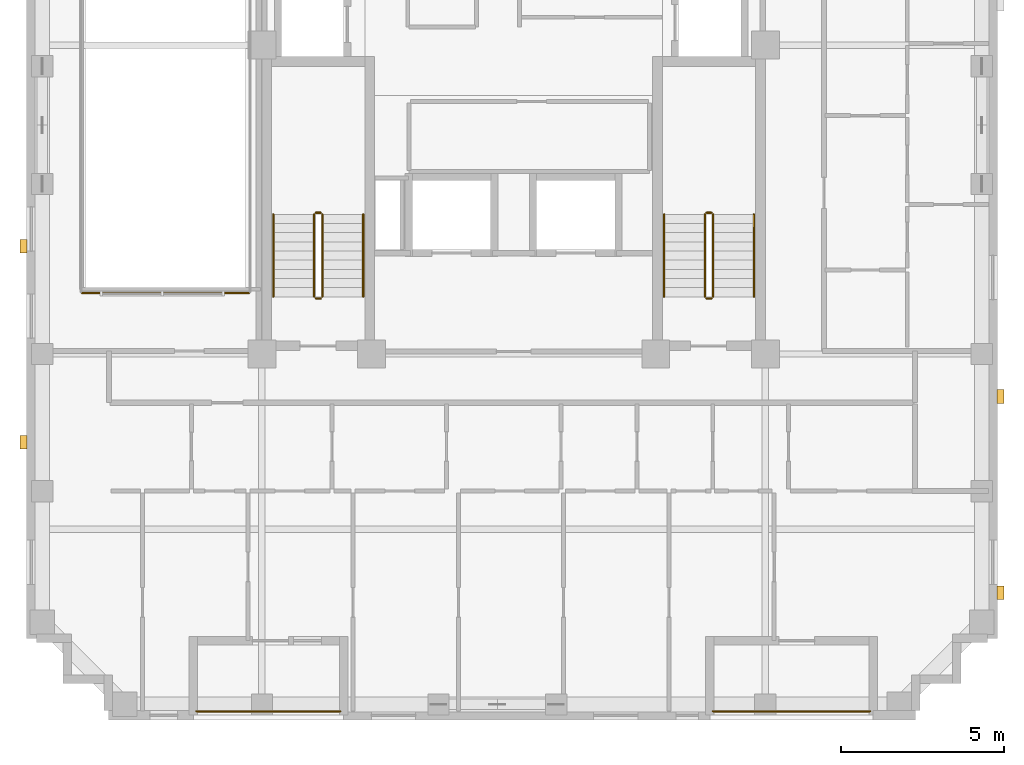
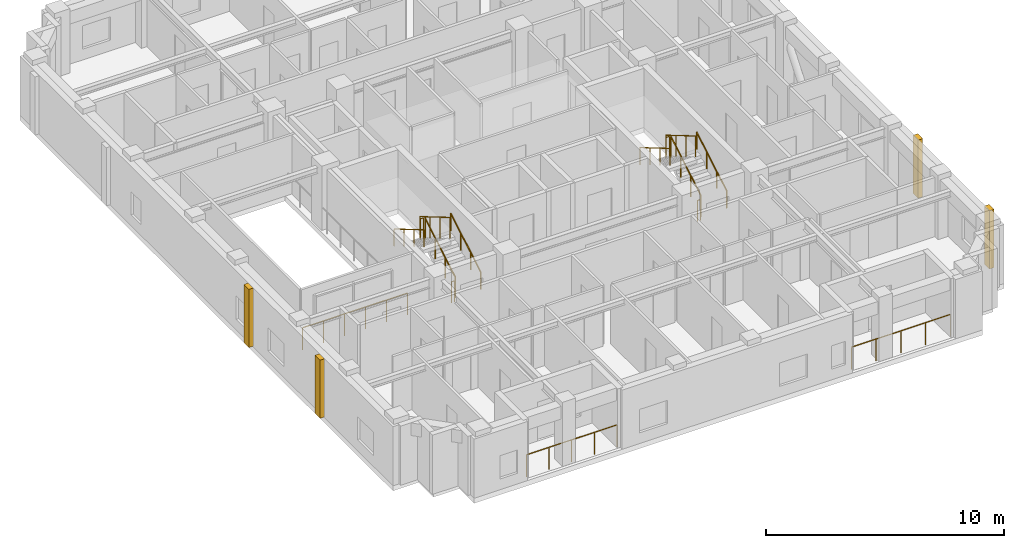
# One storey, part 11 of 12: 15 railings, 4 coverings.
"""IFC4 building model written with IfcOpenShell, lengths in metres."""

import ifcopenshell
import ifcopenshell.guid

model = None  # the IFC model being written
_history = None  # IfcOwnerHistory: only IFC2X3 demands one
_inside = {}  # id of a spatial element -> (the spatial element, [elements in it])
_under = {}  # id of a project, library or spatial element -> (it, [spatial elements below it])
_declared = {}  # id of a project -> (the project, [libraries it declares])
_typed = {}  # id of a type object -> (the type object, [elements of that type])
_made_of = {}  # id of a material, layer set ... -> (it, [elements and type objects made of it])


def new_model(schema):
    """Start an empty IFC model of exactly this schema.

    Asked for "IFC4X3", IfcOpenShell would pick the latest addendum, in which some entities
    have other attributes; the version numbers below select the first issue.
    IFC2X3 requires an IfcOwnerHistory on every rooted entity: one is made here for all.
    """
    global model, _history
    if schema == "IFC4X3":
        model = ifcopenshell.file(schema_version=(4, 3, 0, 0))
    else:
        model = ifcopenshell.file(schema=schema)
    _inside.clear()
    _under.clear()
    _declared.clear()
    _typed.clear()
    _made_of.clear()
    _history = None
    if model.schema == "IFC2X3":
        org = make("IfcOrganization", Name="unknown")
        user = make(
            "IfcPersonAndOrganization",
            ThePerson=make("IfcPerson", FamilyName="unknown"),
            TheOrganization=org,
        )
        app = make(
            "IfcApplication",
            ApplicationDeveloper=org,
            Version="unknown",
            ApplicationFullName="unknown",
            ApplicationIdentifier="unknown",
        )
        _history = make(
            "IfcOwnerHistory",
            OwningUser=user,
            OwningApplication=app,
            ChangeAction="ADDED",
            CreationDate=0,
        )
    return model


def make(cls, **values):
    """One entity of the class cls with the attributes given. An attribute that is None is left unset."""
    return model.create_entity(
        cls, **{name: value for name, value in values.items() if value is not None}
    )


def rooted(cls, **values):
    """An entity with a GlobalId (a new one), such as an element, a storey or a relation."""
    return make(cls, GlobalId=ifcopenshell.guid.new(), OwnerHistory=_history, **values)


def si_unit(unit_type, name, prefix=None):
    """IfcSIUnit, for example si_unit("LENGTHUNIT", "METRE", prefix="MILLI")."""
    return make("IfcSIUnit", UnitType=unit_type, Prefix=prefix, Name=name)


def derived_unit(unit_type, elements):
    """IfcDerivedUnit: a product of units, each with its exponent."""
    return make(
        "IfcDerivedUnit",
        Elements=[
            make("IfcDerivedUnitElement", Unit=unit, Exponent=power)
            for unit, power in elements
        ],
        UnitType=unit_type,
    )


def assignment(units):
    """IfcUnitAssignment: the units of a project."""
    return None if units is None else make("IfcUnitAssignment", Units=units)


def point(xyz):
    """IfcCartesianPoint."""
    return None if xyz is None else make("IfcCartesianPoint", Coordinates=xyz)


def direction(xyz):
    """IfcDirection."""
    return None if xyz is None else make("IfcDirection", DirectionRatios=xyz)


def frame(location, z_axis=None, x_axis=None):
    """IfcAxis2Placement3D, a coordinate frame: its origin and axes. An axis left out is left unset."""
    return make(
        "IfcAxis2Placement3D",
        Location=point(location),
        Axis=direction(z_axis),
        RefDirection=direction(x_axis),
    )


def frame_2d(location, x_axis=None):
    """IfcAxis2Placement2D, a coordinate frame in the plane: its origin and x axis."""
    return make(
        "IfcAxis2Placement2D", Location=point(location), RefDirection=direction(x_axis)
    )


def origin():
    """The frame at (0, 0, 0) with its axes left unset."""
    return frame((0.0, 0.0, 0.0))


def origin_2d():
    """The frame at (0, 0) in the plane with its x axis left unset."""
    return frame_2d((0.0, 0.0))


def place(relative_to, where):
    """IfcLocalPlacement: puts the frame where relative to a parent placement (None: the world)."""
    return make(
        "IfcLocalPlacement", PlacementRelTo=relative_to, RelativePlacement=where
    )


def context(
    kind, dimensions, precision=None, world=None, true_north=None, identifier=None
):
    """IfcGeometricRepresentationContext, for example the 3D "Model" context."""
    return make(
        "IfcGeometricRepresentationContext",
        ContextIdentifier=identifier,
        ContextType=kind,
        CoordinateSpaceDimension=dimensions,
        Precision=precision,
        WorldCoordinateSystem=world,
        TrueNorth=true_north,
    )


def subcontext(parent, identifier, kind, view, scale=None):
    """IfcGeometricRepresentationSubContext, for example "Body" below "Model"."""
    return make(
        "IfcGeometricRepresentationSubContext",
        ContextIdentifier=identifier,
        ContextType=kind,
        ParentContext=parent,
        TargetScale=scale,
        TargetView=view,
    )


def project(units=None, contexts=None):
    """IfcProject with its units and contexts."""
    return rooted(
        "IfcProject",
        Name="project",
        RepresentationContexts=contexts,
        UnitsInContext=assignment(units),
    )


def spatial(cls, under=None, at=None, **own):
    """A site, building, storey or space (cls), placed at a placement, below another one or the project."""
    s = rooted(cls, ObjectPlacement=at, **own)
    if under is not None:
        _under.setdefault(under.id(), (under, []))[1].append(s)
    return s


def profile(cls, at=None, kind="AREA", **sizes):
    """A parametric profile (cls). Its sizes go by their IFC names, for example OverallWidth=200.0."""
    return make(cls, ProfileType=kind, Position=at, **sizes)


def rectangle(**sizes):
    """IfcRectangleProfileDef."""
    return profile("IfcRectangleProfileDef", **sizes)


def circle(**sizes):
    """IfcCircleProfileDef."""
    return profile("IfcCircleProfileDef", **sizes)


def extrude(swept, where, along, depth):
    """IfcExtrudedAreaSolid: the profile swept, set in the frame where, extruded along a direction by depth."""
    return make(
        "IfcExtrudedAreaSolid",
        SweptArea=swept,
        Position=where,
        ExtrudedDirection=direction(along),
        Depth=depth,
    )


def shape(context_of_items, identifier, shape_type, items):
    """IfcShapeRepresentation: the items that make up one representation, for example the "Body"."""
    return make(
        "IfcShapeRepresentation",
        ContextOfItems=context_of_items,
        RepresentationIdentifier=identifier,
        RepresentationType=shape_type,
        Items=items,
    )


def material(Name=None, Category=None):
    """IfcMaterial."""
    return make("IfcMaterial", Name=Name, Category=Category)


def layer(
    of_material, thickness, ventilated=None, Name=None, Category=None, Priority=None
):
    """IfcMaterialLayer: one layer of a wall or slab, of a material (None: an air gap)."""
    return make(
        "IfcMaterialLayer",
        Material=of_material,
        LayerThickness=thickness,
        IsVentilated=ventilated,
        Name=Name,
        Category=Category,
        Priority=Priority,
    )


def layer_set(layers, Name=None):
    """IfcMaterialLayerSet."""
    return make("IfcMaterialLayerSet", MaterialLayers=layers, LayerSetName=Name)


def made_of(thing, what):
    """Note that an element or type object is made of a material, layer set ...; save() writes the relation."""
    if what is not None:
        _made_of.setdefault(what.id(), (what, []))[1].append(thing)
    return thing


def type_object(cls, material=None, **own):
    """A type object (cls), such as IfcWallType, which elements share."""
    return made_of(rooted(cls, **own), material)


def element(
    cls,
    number,
    at=None,
    inside=None,
    cuts=None,
    type_object=None,
    material=None,
    context=None,
    identifier="Body",
    shape_type=None,
    held_by="IfcProductDefinitionShape",
    body=None,
    shapes=None,
    **own,
):
    """One element of the class cls, such as IfcWall. Its Tag is "e" and its number.

    at: its placement. inside: the storey or other place that contains it. cuts: it is an
    opening in that element (IfcRelVoidsElement). A single representation is given by context,
    identifier, shape_type and body (its items); several are given by shapes. held_by: the class
    of the entity that holds the representations. save() writes the other relations.
    """
    e = rooted(cls, Tag="e%d" % number, ObjectPlacement=at, **own)
    if body is not None:
        shapes = [shape(context, identifier, shape_type, body)]
    if shapes is not None:
        e.Representation = make(held_by, Representations=shapes)
    if inside is not None:
        _inside.setdefault(inside.id(), (inside, []))[1].append(e)
    if cuts is not None:
        rooted(
            "IfcRelVoidsElement", RelatingBuildingElement=cuts, RelatedOpeningElement=e
        )
    if type_object is not None:
        _typed.setdefault(type_object.id(), (type_object, []))[1].append(e)
    return made_of(e, material)


def aggregate(whole, parts):
    """IfcRelAggregates: a whole, such as a stair, and the parts it consists of."""
    return rooted("IfcRelAggregates", RelatingObject=whole, RelatedObjects=parts)


def save(model, path):
    """Write the relations noted so far, then the file.

    IfcRelAggregates (storeys below a building ...), IfcRelContainedInSpatialStructure (elements
    in a storey), IfcRelDefinesByType, IfcRelAssociatesMaterial and IfcRelDeclares: one each for
    every whole, place, type object, material and project.
    """
    for whole, parts in _under.values():
        aggregate(whole, parts)
    for where, things in _inside.values():
        rooted(
            "IfcRelContainedInSpatialStructure",
            RelatedElements=things,
            RelatingStructure=where,
        )
    for kind, things in _typed.values():
        rooted("IfcRelDefinesByType", RelatedObjects=things, RelatingType=kind)
    for what, things in _made_of.values():
        rooted("IfcRelAssociatesMaterial", RelatedObjects=things, RelatingMaterial=what)
    for by, libraries in _declared.values():
        rooted("IfcRelDeclares", RelatingContext=by, RelatedDefinitions=libraries)
    model.write(path)


model = new_model("IFC4")

# Units and contexts
model_context = context("Model", 3, precision=1e-05, world=origin(), true_north=direction((0.0, 1.0)))
body_context = subcontext(model_context, "Body", "Model", "MODEL_VIEW")
ifc_project = project(units=[si_unit("LENGTHUNIT", "METRE"), si_unit("AREAUNIT", "SQUARE_METRE"), si_unit("VOLUMEUNIT", "CUBIC_METRE"), si_unit("PLANEANGLEUNIT", "RADIAN"), si_unit("MASSUNIT", "GRAM", prefix="KILO"), derived_unit("THERMALTRANSMITTANCEUNIT", [(si_unit("MASSUNIT", "GRAM", prefix="KILO"), 1), (si_unit("TIMEUNIT", "SECOND"), -3), (si_unit("THERMODYNAMICTEMPERATUREUNIT", "KELVIN"), -1)])], contexts=[model_context])

# Site, building, storey
site_placement = place(None, origin())
site = spatial("IfcSite", under=ifc_project, at=site_placement, CompositionType="ELEMENT")
building_placement = place(site_placement, origin())
building = spatial("IfcBuilding", under=site, at=building_placement, Name="Korrvale Station Residences", CompositionType="ELEMENT")
storey_placement = place(building_placement, frame((0.0, 0.0, 184.300048828125)))
storey = spatial("IfcBuildingStorey", under=building, at=storey_placement, Name="L53", CompositionType="ELEMENT", Elevation=184.300048828125)

# Coverings
ifc_material_1 = material(Name="Architectural precast concrete C45/55", Category="concrete")
ifc_layer = layer(ifc_material_1, 0.219970703125, Name="Architectural precast concrete C45/55")
ifc_layer_set = layer_set([ifc_layer], Name="Architectural precast concrete C45/55")
covering_type = type_object("IfcCoveringType", Name="COV-PIER-400", PredefinedType="CLADDING", material=ifc_layer_set)
for number, where, z_axis, x_axis, name in (
    (1, (10.510009765625, 12.300048828125, 0.02490234375), (0.0, 0.0, 1.0), (0.0, 1.0, 0.0), "L53 Architectural Precast Facade Pier 02"),
    (2, (10.510009765625, 18.300048828125, 0.02490234375), (0.0, 0.0, 1.0), (0.0, 1.0, 0.0), "L53 Architectural Precast Facade Pier 03"),
    (3, (40.389892578125, 13.699951171875, 0.02490234375), (0.0, 0.0, 1.0), (0.0, 1.0, 0.0), "L53 Architectural Precast Facade Pier 08"),
    (4, (40.389892578125, 7.699951171875, 0.02490234375), (0.0, 0.0, 1.0), (0.0, 1.0, 0.0), "L53 Architectural Precast Facade Pier 09"),
):
    element("IfcCovering", number, at=place(storey_placement, frame(where, z_axis=z_axis, x_axis=x_axis)), inside=storey, type_object=covering_type, Name=name, PredefinedType="CLADDING", context=body_context, shape_type="SweptSolid", body=[
        extrude(rectangle(XDim=0.419921875, YDim=0.219970703125, at=origin_2d()), origin(), (0.0, 0.0, 1.0), 2.989990234375),
    ])

# Railings
ifc_material_2 = material(Name="Laminated glass and brushed bronze interior atrium balustrade", Category="glass")
railing_type_1 = type_object("IfcRailingType", Name="RLG-ATR-1150", PredefinedType="BALUSTRADE", material=ifc_material_2)
railing_1_placement = place(storey_placement, frame((12.300048828125, 16.860107421875, 0.0)))
element("IfcRailing", 5, at=railing_1_placement, inside=storey, type_object=railing_type_1, Name="L53 Atrium Void Balustrade 1-S", PredefinedType="BALUSTRADE", context=body_context, shape_type="SweptSolid", body=[
    extrude(circle(Radius=0.02392578125, at=origin_2d()), frame((0.0, 0.0, 1.1259765625), z_axis=(1.0, 0.0, 0.0), x_axis=(0.0, 1.0, 0.0)), (0.0, 0.0, 1.0), 5.099853515625),
    extrude(circle(Radius=0.02099609375, at=origin_2d()), origin(), (0.0, 0.0, 1.0), 1.101806640625),
    extrude(circle(Radius=0.02099609375, at=origin_2d()), frame((1.02001953125, 0.0, 0.0)), (0.0, 0.0, 1.0), 1.101806640625),
    extrude(circle(Radius=0.02099609375, at=origin_2d()), frame((2.0400390625, 0.0, 0.0)), (0.0, 0.0, 1.0), 1.101806640625),
    extrude(circle(Radius=0.02099609375, at=origin_2d()), frame((3.059814453125, 0.0, 0.0)), (0.0, 0.0, 1.0), 1.101806640625),
    extrude(circle(Radius=0.02099609375, at=origin_2d()), frame((4.079833984375, 0.0, 0.0)), (0.0, 0.0, 1.0), 1.101806640625),
    extrude(circle(Radius=0.02099609375, at=origin_2d()), frame((5.099853515625, 0.0, 0.0)), (0.0, 0.0, 1.0), 1.101806640625),
])
ifc_material_3 = material(Name="Powder-coated aluminium picket loggia guard", Category="aluminium")
railing_type_2 = type_object("IfcRailingType", Name="RLG-BAL-1150", PredefinedType="GUARDRAIL", material=ifc_material_3)
railing_2_placement = place(storey_placement, frame((31.60009765625, 4.070068359375, 0.0)))
element("IfcRailing", 6, at=railing_2_placement, inside=storey, type_object=railing_type_2, Name="L53 Recessed Loggia Guardrail BAL-L53-S2", PredefinedType="GUARDRAIL", context=body_context, shape_type="SweptSolid", body=[
    extrude(circle(Radius=0.02392578125, at=origin_2d()), frame((0.0, 0.0, 1.1259765625), z_axis=(1.0, 0.0, 0.0), x_axis=(0.0, 1.0, 0.0)), (0.0, 0.0, 1.0), 4.7998046875),
    extrude(circle(Radius=0.02099609375, at=origin_2d()), origin(), (0.0, 0.0, 1.0), 1.101806640625),
    extrude(circle(Radius=0.02099609375, at=origin_2d()), frame((1.199951171875, 0.0, 0.0)), (0.0, 0.0, 1.0), 1.101806640625),
    extrude(circle(Radius=0.02099609375, at=origin_2d()), frame((2.39990234375, 0.0, 0.0)), (0.0, 0.0, 1.0), 1.101806640625),
    extrude(circle(Radius=0.02099609375, at=origin_2d()), frame((3.599853515625, 0.0, 0.0)), (0.0, 0.0, 1.0), 1.101806640625),
    extrude(circle(Radius=0.02099609375, at=origin_2d()), frame((4.7998046875, 0.0, 0.0)), (0.0, 0.0, 1.0), 1.101806640625),
])
railing_3_placement = place(storey_placement, frame((15.800048828125, 4.070068359375, 0.0)))
element("IfcRailing", 7, at=railing_3_placement, inside=storey, type_object=railing_type_2, Name="L53 Recessed Loggia Guardrail BAL-L53-S1", PredefinedType="GUARDRAIL", context=body_context, shape_type="SweptSolid", body=[
    extrude(circle(Radius=0.02392578125, at=origin_2d()), frame((0.0, 0.0, 1.1259765625), z_axis=(1.0, 0.0, 0.0), x_axis=(0.0, 1.0, 0.0)), (0.0, 0.0, 1.0), 4.39990234375),
    extrude(circle(Radius=0.02099609375, at=origin_2d()), origin(), (0.0, 0.0, 1.0), 1.101806640625),
    extrude(circle(Radius=0.02099609375, at=origin_2d()), frame((1.10009765625, 0.0, 0.0)), (0.0, 0.0, 1.0), 1.101806640625),
    extrude(circle(Radius=0.02099609375, at=origin_2d()), frame((2.199951171875, 0.0, 0.0)), (0.0, 0.0, 1.0), 1.101806640625),
    extrude(circle(Radius=0.02099609375, at=origin_2d()), frame((3.2998046875, 0.0, 0.0)), (0.0, 0.0, 1.0), 1.101806640625),
    extrude(circle(Radius=0.02099609375, at=origin_2d()), frame((4.39990234375, 0.0, 0.0)), (0.0, 0.0, 1.0), 1.101806640625),
])
ifc_material_4 = material(Name="Brushed stainless-steel continuous stair handrail", Category="steel")
railing_type_3 = type_object("IfcRailingType", Name="RLG-SHND-900", PredefinedType="HANDRAIL", material=ifc_material_4)
railing_4_placement = place(storey_placement, frame((20.89990234375, 16.75, 0.1650390625)))
element("IfcRailing", 8, at=railing_4_placement, inside=storey, type_object=railing_type_3, Name="L53 ST-1 stair handrail 1", PredefinedType="HANDRAIL", context=body_context, shape_type="SweptSolid", body=[
    extrude(circle(Radius=0.02392578125, at=origin_2d()), frame((0.0, 0.0, 0.8759765625), z_axis=(0.0, 0.861560626758, 0.507654692109), x_axis=(-1.0, 0.0, 0.0)), (0.0, 0.0, 1.0), 2.925048828125),
    extrude(circle(Radius=0.02099609375, at=origin_2d()), origin(), (0.0, 0.0, 1.0), 0.851806640625),
    extrude(circle(Radius=0.02099609375, at=origin_2d()), frame((0.0, 0.840087890625, 0.494873046875)), (0.0, 0.0, 1.0), 0.851806640625),
    extrude(circle(Radius=0.02099609375, at=origin_2d()), frame((0.0, 1.679931640625, 0.989990234375)), (0.0, 0.0, 1.0), 0.851806640625),
    extrude(circle(Radius=0.02099609375, at=origin_2d()), frame((0.0, 2.52001953125, 1.48486328125)), (0.0, 0.0, 1.0), 0.851806640625),
])
railing_5_placement = place(storey_placement, frame((18.14990234375, 19.27001953125, 1.81494140625)))
element("IfcRailing", 9, at=railing_5_placement, inside=storey, type_object=railing_type_3, Name="L53 ST-1 stair handrail 2", PredefinedType="HANDRAIL", context=body_context, shape_type="SweptSolid", body=[
    extrude(circle(Radius=0.02392578125, at=origin_2d()), frame((0.0, 0.0, 0.8759765625), z_axis=(0.0, -0.86152411907, 0.507716645641), x_axis=(1.0, 0.0, 0.0)), (0.0, 0.0, 1.0), 2.925048828125),
    extrude(circle(Radius=0.02099609375, at=origin_2d()), origin(), (0.0, 0.0, 1.0), 0.851806640625),
    extrude(circle(Radius=0.02099609375, at=origin_2d()), frame((0.0, -0.840087890625, 0.4951171875)), (0.0, 0.0, 1.0), 0.851806640625),
    extrude(circle(Radius=0.02099609375, at=origin_2d()), frame((0.0, -1.679931640625, 0.989990234375)), (0.0, 0.0, 1.0), 0.851806640625),
    extrude(circle(Radius=0.02099609375, at=origin_2d()), frame((0.0, -2.52001953125, 1.485107421875)), (0.0, 0.0, 1.0), 0.851806640625),
])
railing_6_placement = place(storey_placement, frame((32.85009765625, 16.75, 0.1650390625)))
element("IfcRailing", 10, at=railing_6_placement, inside=storey, type_object=railing_type_3, Name="L53 ST-2 stair handrail 1", PredefinedType="HANDRAIL", context=body_context, shape_type="SweptSolid", body=[
    extrude(circle(Radius=0.02392578125, at=origin_2d()), frame((0.0, 0.0, 0.8759765625), z_axis=(0.0, 0.861560626758, 0.507654692109), x_axis=(-1.0, 0.0, 0.0)), (0.0, 0.0, 1.0), 2.925048828125),
    extrude(circle(Radius=0.02099609375, at=origin_2d()), origin(), (0.0, 0.0, 1.0), 0.851806640625),
    extrude(circle(Radius=0.02099609375, at=origin_2d()), frame((0.0, 0.840087890625, 0.494873046875)), (0.0, 0.0, 1.0), 0.851806640625),
    extrude(circle(Radius=0.02099609375, at=origin_2d()), frame((0.0, 1.679931640625, 0.989990234375)), (0.0, 0.0, 1.0), 0.851806640625),
    extrude(circle(Radius=0.02099609375, at=origin_2d()), frame((0.0, 2.52001953125, 1.48486328125)), (0.0, 0.0, 1.0), 0.851806640625),
])
railing_7_placement = place(storey_placement, frame((30.10009765625, 19.27001953125, 1.81494140625)))
element("IfcRailing", 11, at=railing_7_placement, inside=storey, type_object=railing_type_3, Name="L53 ST-2 stair handrail 2", PredefinedType="HANDRAIL", context=body_context, shape_type="SweptSolid", body=[
    extrude(circle(Radius=0.02392578125, at=origin_2d()), frame((0.0, 0.0, 0.8759765625), z_axis=(0.0, -0.86152411907, 0.507716645641), x_axis=(1.0, 0.0, 0.0)), (0.0, 0.0, 1.0), 2.925048828125),
    extrude(circle(Radius=0.02099609375, at=origin_2d()), origin(), (0.0, 0.0, 1.0), 0.851806640625),
    extrude(circle(Radius=0.02099609375, at=origin_2d()), frame((0.0, -0.840087890625, 0.4951171875)), (0.0, 0.0, 1.0), 0.851806640625),
    extrude(circle(Radius=0.02099609375, at=origin_2d()), frame((0.0, -1.679931640625, 0.989990234375)), (0.0, 0.0, 1.0), 0.851806640625),
    extrude(circle(Radius=0.02099609375, at=origin_2d()), frame((0.0, -2.52001953125, 1.485107421875)), (0.0, 0.0, 1.0), 0.851806640625),
])
ifc_material_5 = material(Name="Galvanised painted tubular steel stair guard", Category="steel")
railing_type_4 = type_object("IfcRailingType", Name="RLG-STR-1100", PredefinedType="GUARDRAIL", material=ifc_material_5)
railing_8_placement = place(storey_placement, frame((19.64990234375, 16.75, 0.1650390625)))
element("IfcRailing", 12, at=railing_8_placement, inside=storey, type_object=railing_type_4, Name="L53 ST-1 stair guard 1", PredefinedType="GUARDRAIL", context=body_context, shape_type="SweptSolid", body=[
    extrude(circle(Radius=0.02392578125, at=origin_2d()), frame((0.0, 0.0, 1.076171875), z_axis=(0.0, 0.861560626758, 0.507654692109), x_axis=(-1.0, 0.0, 0.0)), (0.0, 0.0, 1.0), 2.925048828125),
    extrude(circle(Radius=0.02099609375, at=origin_2d()), origin(), (0.0, 0.0, 1.0), 1.052001953125),
    extrude(circle(Radius=0.02099609375, at=origin_2d()), frame((0.0, 0.840087890625, 0.494873046875)), (0.0, 0.0, 1.0), 1.052001953125),
    extrude(circle(Radius=0.02099609375, at=origin_2d()), frame((0.0, 1.679931640625, 0.989990234375)), (0.0, 0.0, 1.0), 1.052001953125),
    extrude(circle(Radius=0.02099609375, at=origin_2d()), frame((0.0, 2.52001953125, 1.48486328125)), (0.0, 0.0, 1.0), 1.052001953125),
])
railing_9_placement = place(storey_placement, frame((19.60009765625, 19.320068359375, 1.64990234375)))
element("IfcRailing", 13, at=railing_9_placement, inside=storey, type_object=railing_type_4, Name="L53 ST-1 stair guard 2", PredefinedType="GUARDRAIL", context=body_context, shape_type="SweptSolid", body=[
    extrude(circle(Radius=0.02392578125, at=origin_2d()), frame((0.0, 0.0, 1.076171875), z_axis=(-1.0, 0.0, 0.0), x_axis=(0.0, -1.0, 0.0)), (0.0, 0.0, 1.0), 0.150146484375),
    extrude(circle(Radius=0.02099609375, at=origin_2d()), origin(), (0.0, 0.0, 1.0), 1.052001953125),
    extrude(circle(Radius=0.02099609375, at=origin_2d()), frame((-0.150146484375, 0.0, 0.0)), (0.0, 0.0, 1.0), 1.052001953125),
])
railing_10_placement = place(storey_placement, frame((19.39990234375, 19.27001953125, 1.81494140625)))
element("IfcRailing", 14, at=railing_10_placement, inside=storey, type_object=railing_type_4, Name="L53 ST-1 stair guard 3", PredefinedType="GUARDRAIL", context=body_context, shape_type="SweptSolid", body=[
    extrude(circle(Radius=0.02392578125, at=origin_2d()), frame((0.0, 0.0, 1.076171875), z_axis=(0.0, -0.86152411907, 0.507716645641), x_axis=(1.0, 0.0, 0.0)), (0.0, 0.0, 1.0), 2.925048828125),
    extrude(circle(Radius=0.02099609375, at=origin_2d()), origin(), (0.0, 0.0, 1.0), 1.052001953125),
    extrude(circle(Radius=0.02099609375, at=origin_2d()), frame((0.0, -0.840087890625, 0.4951171875)), (0.0, 0.0, 1.0), 1.052001953125),
    extrude(circle(Radius=0.02099609375, at=origin_2d()), frame((0.0, -1.679931640625, 0.989990234375)), (0.0, 0.0, 1.0), 1.052001953125),
    extrude(circle(Radius=0.02099609375, at=origin_2d()), frame((0.0, -2.52001953125, 1.485107421875)), (0.0, 0.0, 1.0), 1.052001953125),
])
railing_11_placement = place(storey_placement, frame((19.60009765625, 16.699951171875, 0.0)))
element("IfcRailing", 15, at=railing_11_placement, inside=storey, type_object=railing_type_4, Name="L53 ST-1 stair guard 4", PredefinedType="GUARDRAIL", context=body_context, shape_type="SweptSolid", body=[
    extrude(circle(Radius=0.02392578125, at=origin_2d()), frame((0.0, 0.0, 1.076171875), z_axis=(-1.0, 0.0, 0.0), x_axis=(0.0, -1.0, 0.0)), (0.0, 0.0, 1.0), 0.150146484375),
    extrude(circle(Radius=0.02099609375, at=origin_2d()), origin(), (0.0, 0.0, 1.0), 1.052001953125),
    extrude(circle(Radius=0.02099609375, at=origin_2d()), frame((-0.150146484375, 0.0, 0.0)), (0.0, 0.0, 1.0), 1.052001953125),
])
railing_12_placement = place(storey_placement, frame((31.60009765625, 16.75, 0.1650390625)))
element("IfcRailing", 16, at=railing_12_placement, inside=storey, type_object=railing_type_4, Name="L53 ST-2 stair guard 1", PredefinedType="GUARDRAIL", context=body_context, shape_type="SweptSolid", body=[
    extrude(circle(Radius=0.02392578125, at=origin_2d()), frame((0.0, 0.0, 1.076171875), z_axis=(0.0, 0.861560626758, 0.507654692109), x_axis=(-1.0, 0.0, 0.0)), (0.0, 0.0, 1.0), 2.925048828125),
    extrude(circle(Radius=0.02099609375, at=origin_2d()), origin(), (0.0, 0.0, 1.0), 1.052001953125),
    extrude(circle(Radius=0.02099609375, at=origin_2d()), frame((0.0, 0.840087890625, 0.494873046875)), (0.0, 0.0, 1.0), 1.052001953125),
    extrude(circle(Radius=0.02099609375, at=origin_2d()), frame((0.0, 1.679931640625, 0.989990234375)), (0.0, 0.0, 1.0), 1.052001953125),
    extrude(circle(Radius=0.02099609375, at=origin_2d()), frame((0.0, 2.52001953125, 1.48486328125)), (0.0, 0.0, 1.0), 1.052001953125),
])
railing_13_placement = place(storey_placement, frame((31.550048828125, 19.320068359375, 1.64990234375)))
element("IfcRailing", 17, at=railing_13_placement, inside=storey, type_object=railing_type_4, Name="L53 ST-2 stair guard 2", PredefinedType="GUARDRAIL", context=body_context, shape_type="SweptSolid", body=[
    extrude(circle(Radius=0.02392578125, at=origin_2d()), frame((0.0, 0.0, 1.076171875), z_axis=(-1.0, 0.0, 0.0), x_axis=(0.0, -1.0, 0.0)), (0.0, 0.0, 1.0), 0.150146484375),
    extrude(circle(Radius=0.02099609375, at=origin_2d()), origin(), (0.0, 0.0, 1.0), 1.052001953125),
    extrude(circle(Radius=0.02099609375, at=origin_2d()), frame((-0.150146484375, 0.0, 0.0)), (0.0, 0.0, 1.0), 1.052001953125),
])
railing_14_placement = place(storey_placement, frame((31.35009765625, 19.27001953125, 1.81494140625)))
element("IfcRailing", 18, at=railing_14_placement, inside=storey, type_object=railing_type_4, Name="L53 ST-2 stair guard 3", PredefinedType="GUARDRAIL", context=body_context, shape_type="SweptSolid", body=[
    extrude(circle(Radius=0.02392578125, at=origin_2d()), frame((0.0, 0.0, 1.076171875), z_axis=(0.0, -0.86152411907, 0.507716645641), x_axis=(1.0, 0.0, 0.0)), (0.0, 0.0, 1.0), 2.925048828125),
    extrude(circle(Radius=0.02099609375, at=origin_2d()), origin(), (0.0, 0.0, 1.0), 1.052001953125),
    extrude(circle(Radius=0.02099609375, at=origin_2d()), frame((0.0, -0.840087890625, 0.4951171875)), (0.0, 0.0, 1.0), 1.052001953125),
    extrude(circle(Radius=0.02099609375, at=origin_2d()), frame((0.0, -1.679931640625, 0.989990234375)), (0.0, 0.0, 1.0), 1.052001953125),
    extrude(circle(Radius=0.02099609375, at=origin_2d()), frame((0.0, -2.52001953125, 1.485107421875)), (0.0, 0.0, 1.0), 1.052001953125),
])
railing_15_placement = place(storey_placement, frame((31.550048828125, 16.699951171875, 0.0)))
element("IfcRailing", 19, at=railing_15_placement, inside=storey, type_object=railing_type_4, Name="L53 ST-2 stair guard 4", PredefinedType="GUARDRAIL", context=body_context, shape_type="SweptSolid", body=[
    extrude(circle(Radius=0.02392578125, at=origin_2d()), frame((0.0, 0.0, 1.076171875), z_axis=(-1.0, 0.0, 0.0), x_axis=(0.0, -1.0, 0.0)), (0.0, 0.0, 1.0), 0.150146484375),
    extrude(circle(Radius=0.02099609375, at=origin_2d()), origin(), (0.0, 0.0, 1.0), 1.052001953125),
    extrude(circle(Radius=0.02099609375, at=origin_2d()), frame((-0.150146484375, 0.0, 0.0)), (0.0, 0.0, 1.0), 1.052001953125),
])

save(model, "model.ifc")
